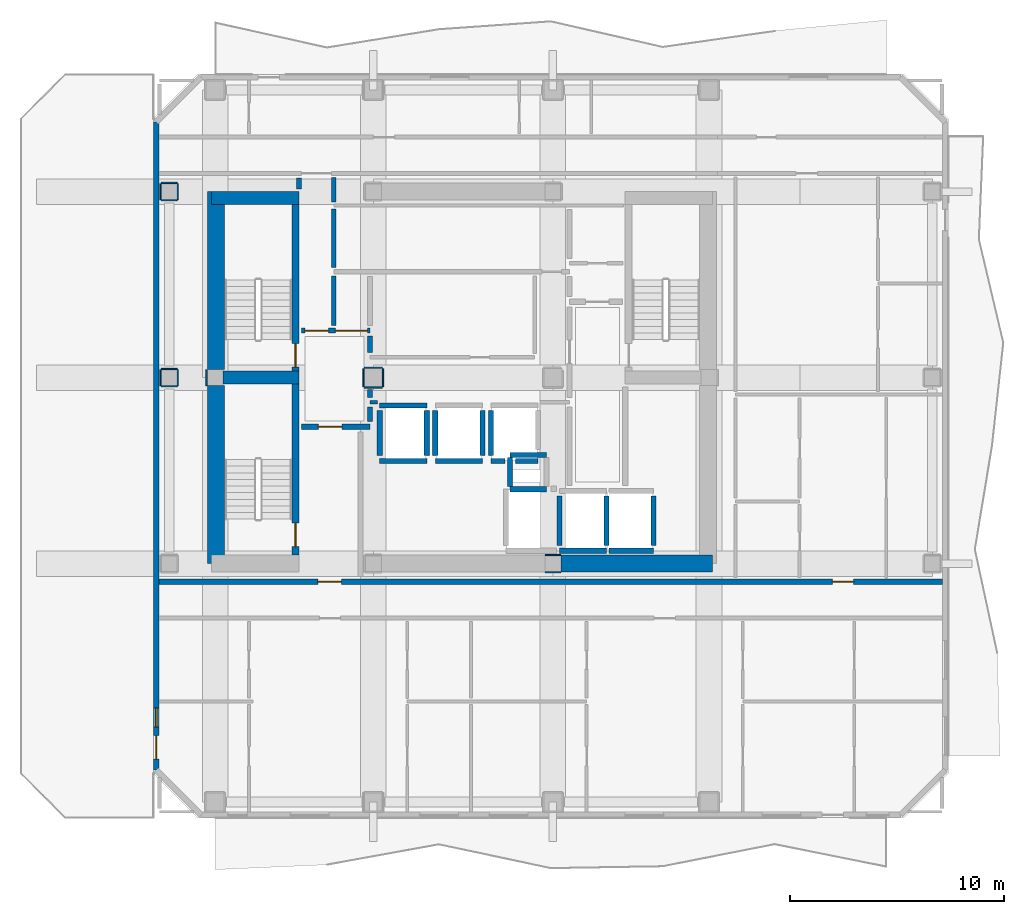
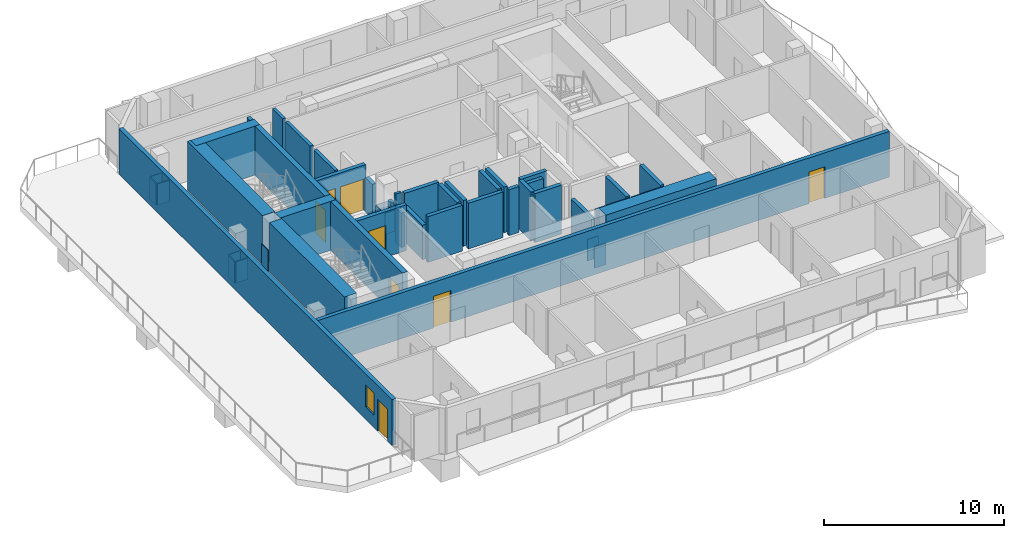
# One storey, part 3 of 10: 52 walls, 8 doors, 1 window, 9 openings.
"""IFC4 building model written with IfcOpenShell, lengths in metres."""

from ifc_helpers import new_model, si_unit, direction, frame, frame_2d, origin, place, context, subcontext, project, spatial, rectangle, extrude, material, layer, layer_set, type_object, element, fill, save


model = new_model("IFC4")

# Units and contexts
model_context = context("Model", 3, precision=1e-05, world=origin(), true_north=direction((0.0, 1.0)))
body_context = subcontext(model_context, "Body", "Model", "MODEL_VIEW")
ifc_project = project(units=[si_unit("LENGTHUNIT", "METRE"), si_unit("AREAUNIT", "SQUARE_METRE"), si_unit("VOLUMEUNIT", "CUBIC_METRE"), si_unit("PLANEANGLEUNIT", "RADIAN"), si_unit("MASSUNIT", "GRAM", prefix="KILO")], contexts=[model_context])

# Site, building, storey
site_placement = place(None, origin())
site = spatial("IfcSite", under=ifc_project, at=site_placement, CompositionType="ELEMENT")
building_placement = place(site_placement, origin())
building = spatial("IfcBuilding", under=site, at=building_placement, Name="Solanera Arch Residences", CompositionType="ELEMENT")
storey_placement = place(building_placement, frame((0.0, 0.0, 210.080078125)))
storey = spatial("IfcBuildingStorey", under=building, at=storey_placement, Name="L61", CompositionType="ELEMENT", Elevation=210.080078125)

# Walls
ifc_material_1 = material(Name="Fire-Rated Gypsum Stud Partition", Category="gypsum")
ifc_layer_1 = layer(ifc_material_1, 0.06005859375)
ifc_layer_set_1 = layer_set([ifc_layer_1], Name="Fire-Rated Gypsum Stud Partition")
wall_type_1 = type_object("IfcWallType", Name="Column Acoustic Furring Wall 60", PredefinedType="PARTITIONING", material=ifc_layer_set_1)
for number, where, z_axis, x_axis, name in (
    (1, (28.8330078125, 21.593017578125, 0.0), (0.0, 0.0, 1.0), (1.0, 0.0, 0.0), "L61 Column Furring 2S"),
    (2, (28.8330078125, 22.406982421875, 0.0), (0.0, 0.0, 1.0), (1.0, 0.0, 0.0), "L61 Column Furring 2N"),
):
    element("IfcWall", number, at=place(storey_placement, frame(where, z_axis=z_axis, x_axis=x_axis)), inside=storey, type_object=wall_type_1, Name=name, PredefinedType="PARTITIONING", context=body_context, shape_type="SweptSolid", body=[
        extrude(rectangle(XDim=0.73388671875, YDim=0.06005859375, at=frame_2d((0.366943359375, 0.0))), origin(), (0.0, 0.0, 1.0), 1.449951171875),
    ])
wall_1_placement = place(storey_placement, frame((12.992919921875, 30.324951171875, 0.0), z_axis=(0.0, 0.0, 1.0), x_axis=(0.0, 1.0, 0.0)))
element("IfcWall", 3, at=wall_1_placement, inside=storey, type_object=wall_type_1, Name="L61 Column Furring 5W", PredefinedType="PARTITIONING", context=body_context, shape_type="SweptSolid", body=[
    extrude(rectangle(XDim=0.75, YDim=0.06005859375, at=frame_2d((0.375, 0.0))), origin(), (0.0, 0.0, 1.0), 1.449951171875),
])
for number, where, z_axis, x_axis, name in (
    (4, (20.375, 30.242919921875, 0.0), (0.0, 0.0, 1.0), (1.0, 0.0, 0.0), "L61 Column Furring 7S"),
    (5, (20.375, 31.156982421875, 0.0), (0.0, 0.0, 1.0), (1.0, 0.0, 0.0), "L61 Column Furring 7N"),
    (6, (20.343017578125, 30.27490234375, 0.0), (0.0, 0.0, 1.0), (0.0, 1.0, 0.0), "L61 Column Furring 7W"),
    (7, (21.257080078125, 30.27490234375, 0.0), (0.0, 0.0, 1.0), (0.0, 1.0, 0.0), "L61 Column Furring 7E"),
):
    element("IfcWall", number, at=place(storey_placement, frame(where, z_axis=z_axis, x_axis=x_axis)), inside=storey, type_object=wall_type_1, Name=name, PredefinedType="PARTITIONING", context=body_context, shape_type="SweptSolid", body=[
        extrude(rectangle(XDim=0.85009765625, YDim=0.06005859375, at=frame_2d((0.425048828125, 0.0))), origin(), (0.0, 0.0, 1.0), 1.449951171875),
    ])
for number, where, z_axis, x_axis, name in (
    (8, (10.875, 30.29296875, 0.0), (0.0, 0.0, 1.0), (1.0, 0.0, 0.0), "L61 Column Furring 19S"),
    (9, (10.875, 31.10693359375, 0.0), (0.0, 0.0, 1.0), (1.0, 0.0, 0.0), "L61 Column Furring 19N"),
    (10, (10.843017578125, 30.324951171875, 0.0), (0.0, 0.0, 1.0), (0.0, 1.0, 0.0), "L61 Column Furring 19W"),
    (11, (11.656982421875, 30.324951171875, 0.0), (0.0, 0.0, 1.0), (0.0, 1.0, 0.0), "L61 Column Furring 19E"),
    (12, (10.875, 38.992919921875, 0.0), (0.0, 0.0, 1.0), (1.0, 0.0, 0.0), "L61 Column Furring 21S"),
    (13, (10.875, 39.806884765625, 0.0), (0.0, 0.0, 1.0), (1.0, 0.0, 0.0), "L61 Column Furring 21N"),
    (14, (10.843017578125, 39.02490234375, 0.0), (0.0, 0.0, 1.0), (0.0, 1.0, 0.0), "L61 Column Furring 21W"),
    (15, (11.656982421875, 39.02490234375, 0.0), (0.0, 0.0, 1.0), (0.0, 1.0, 0.0), "L61 Column Furring 21E"),
):
    element("IfcWall", number, at=place(storey_placement, frame(where, z_axis=z_axis, x_axis=x_axis)), inside=storey, type_object=wall_type_1, Name=name, PredefinedType="PARTITIONING", context=body_context, shape_type="SweptSolid", body=[
        extrude(rectangle(XDim=0.75, YDim=0.06005859375, at=frame_2d((0.375, 0.0))), origin(), (0.0, 0.0, 1.0), 1.449951171875),
    ])

# Wall, opening, door
ifc_material_2 = material(Name="Concrete C40/50 (f'c = 45 MPa)", Category="concrete")
ifc_layer_2 = layer(ifc_material_2, 0.320068359375)
ifc_layer_set_2 = layer_set([ifc_layer_2], Name="Concrete C40/50 (f'c = 45 MPa)")
wall_type_2 = type_object("IfcWallType", Name="Core Shear Wall CW-320", PredefinedType="SHEAR", material=ifc_layer_set_2)
wall_2_placement = place(storey_placement, frame((17.159912109375, 31.0, 0.0), z_axis=(0.0, 0.0, 1.0), x_axis=(0.0, 1.0, 0.0)))
wall_2 = element("IfcWall", 16, at=wall_2_placement, inside=storey, type_object=wall_type_2, Name="L61 Stair ST-T1 East Shear Wall", PredefinedType="SHEAR", context=body_context, shape_type="SweptSolid", body=[
    extrude(rectangle(XDim=7.800048828125, YDim=0.320068359375, at=frame_2d((3.89990234375, 0.0))), origin(), (0.0, 0.0, 1.0), 3.31982421875),
])
opening_1_placement = place(wall_2_placement, frame((0.18994140625, 0.0, 0.0)))
opening_1 = element("IfcOpeningElement", 17, at=opening_1_placement, cuts=wall_2, Name="Opening DF-01", PredefinedType="OPENING", context=body_context, shape_type="SweptSolid", body=[
    extrude(rectangle(XDim=1.10009765625, YDim=2.14990234375, at=frame_2d((0.550048828125, 1.074951171875))), frame((0.0, 0.169921875, 0.0), z_axis=(0.0, -1.0, 0.0), x_axis=(1.0, 0.0, 0.0)), (0.0, 0.0, 1.0), 0.3401),
])
ifc_material_3 = material(Name="Fire-Rated Architectural Hardwood", Category="wood")
door_type_1 = type_object("IfcDoorType", Name="Stair Exit Fire Door DF-01", OperationType="NOTDEFINED", PredefinedType="DOOR", material=ifc_material_3)
door_1_placement = place(opening_1_placement, origin())
door_1 = element("IfcDoor", 18, at=door_1_placement, inside=storey, type_object=door_type_1, Name="DR-L61-STAIR-ST-T1", OperationType="SINGLE_SWING_RIGHT", OverallHeight=2.14990234375, OverallWidth=1.10009765625, PredefinedType="DOOR", context=body_context, shape_type="SweptSolid", body=[
    extrude(rectangle(XDim=1.10009765625, YDim=2.14990234375, at=frame_2d((0.550048828125, 1.074951171875))), frame((0.0, 0.02490234375, 0.0), z_axis=(0.0, -1.0, 0.0), x_axis=(1.0, 0.0, 0.0)), (0.0, 0.0, 1.0), 0.050048828125),
])
fill(opening_1, door_1)

wall_3_placement = place(storey_placement, frame((17.159912109375, 22.39990234375, 0.0), z_axis=(0.0, 0.0, 1.0), x_axis=(0.0, 1.0, 0.0)))
wall_3 = element("IfcWall", 19, at=wall_3_placement, inside=storey, type_object=wall_type_2, Name="L61 Stair ST-T3 East Shear Wall", PredefinedType="SHEAR", context=body_context, shape_type="SweptSolid", body=[
    extrude(rectangle(XDim=8.0, YDim=0.320068359375, at=frame_2d((4.0, 0.0))), origin(), (0.0, 0.0, 1.0), 3.31982421875),
])
opening_2_placement = place(wall_3_placement, frame((0.389892578125, 0.0, 0.0)))
opening_2 = element("IfcOpeningElement", 20, at=opening_2_placement, cuts=wall_3, Name="Opening DF-01", PredefinedType="OPENING", context=body_context, shape_type="SweptSolid", body=[
    extrude(rectangle(XDim=1.10009765625, YDim=2.14990234375, at=frame_2d((0.550048828125, 1.074951171875))), frame((0.0, 0.169921875, 0.0), z_axis=(0.0, -1.0, 0.0), x_axis=(1.0, 0.0, 0.0)), (0.0, 0.0, 1.0), 0.3401),
])
door_2_placement = place(opening_2_placement, origin())
door_2 = element("IfcDoor", 21, at=door_2_placement, inside=storey, type_object=door_type_1, Name="DR-L61-STAIR-ST-T3", OperationType="SINGLE_SWING_RIGHT", OverallHeight=2.14990234375, OverallWidth=1.10009765625, PredefinedType="DOOR", context=body_context, shape_type="SweptSolid", body=[
    extrude(rectangle(XDim=1.10009765625, YDim=2.14990234375, at=frame_2d((0.550048828125, 1.074951171875))), frame((0.0, 0.02490234375, 0.0), z_axis=(0.0, -1.0, 0.0), x_axis=(1.0, 0.0, 0.0)), (0.0, 0.0, 1.0), 0.050048828125),
])
fill(opening_2, door_2)

# Walls
ifc_material_4 = material(Name="Concrete C40/50 (f'c = 45 MPa)", Category="concrete")
ifc_layer_3 = layer(ifc_material_4, 0.60009765625)
ifc_layer_set_3 = layer_set([ifc_layer_3], Name="Concrete C40/50 (f'c = 45 MPa)")
wall_type_3 = type_object("IfcWallType", Name="Core Shear Wall CW-600", PredefinedType="SHEAR", material=ifc_layer_set_3)
wall_4_placement = place(storey_placement, frame((13.239990234375, 39.10009765625, 0.0), z_axis=(0.0, 0.0, 1.0), x_axis=(1.0, 0.0, 0.0)))
element("IfcWall", 22, at=wall_4_placement, inside=storey, type_object=wall_type_3, Name="L61 North-West Core Shear Wall", PredefinedType="SHEAR", context=body_context, shape_type="SweptSolid", body=[
    extrude(rectangle(XDim=4.080078125, YDim=0.60009765625, at=frame_2d((2.0400390625, 0.0))), origin(), (0.0, 0.0, 1.0), 3.31982421875),
])
wall_5_placement = place(storey_placement, frame((13.780029296875, 30.699951171875, 0.0), z_axis=(0.0, 0.0, 1.0), x_axis=(1.0, 0.0, 0.0)))
element("IfcWall", 23, at=wall_5_placement, inside=storey, type_object=wall_type_3, Name="L61 West Stair Divider Shear Wall", PredefinedType="SHEAR", context=body_context, shape_type="SweptSolid", body=[
    extrude(rectangle(XDim=3.5400390625, YDim=0.60009765625, at=frame_2d((1.77001953125, 0.0))), origin(), (0.0, 0.0, 1.0), 3.31982421875),
])
ifc_material_5 = material(Name="Concrete C40/50 (f'c = 45 MPa)", Category="concrete")
ifc_layer_4 = layer(ifc_material_5, 0.800048828125)
ifc_layer_set_4 = layer_set([ifc_layer_4], Name="Concrete C40/50 (f'c = 45 MPa)")
wall_type_4 = type_object("IfcWallType", Name="Core Shear Wall CW-800", PredefinedType="SHEAR", material=ifc_layer_set_4)
wall_6_placement = place(storey_placement, frame((13.43994140625, 22.0, 0.0), z_axis=(0.0, 0.0, 1.0), x_axis=(0.0, 1.0, 0.0)))
element("IfcWall", 24, at=wall_6_placement, inside=storey, type_object=wall_type_4, Name="L61 West Core South Shear Wall", PredefinedType="SHEAR", context=body_context, shape_type="SweptSolid", body=[
    extrude(rectangle(XDim=8.320068359375, YDim=0.800048828125, at=frame_2d((4.16015625, 0.0))), origin(), (0.0, 0.0, 1.0), 3.31982421875),
])
wall_7_placement = place(storey_placement, frame((13.43994140625, 31.080078125, 0.0), z_axis=(0.0, 0.0, 1.0), x_axis=(0.0, 1.0, 0.0)))
element("IfcWall", 25, at=wall_7_placement, inside=storey, type_object=wall_type_4, Name="L61 West Core North Shear Wall", PredefinedType="SHEAR", context=body_context, shape_type="SweptSolid", body=[
    extrude(rectangle(XDim=8.31982421875, YDim=0.800048828125, at=frame_2d((4.159912109375, 0.0))), origin(), (0.0, 0.0, 1.0), 3.31982421875),
])
wall_8_placement = place(storey_placement, frame((29.580078125, 22.0, 0.0), z_axis=(0.0, 0.0, 1.0), x_axis=(1.0, 0.0, 0.0)))
element("IfcWall", 26, at=wall_8_placement, inside=storey, type_object=wall_type_4, Name="L61 South-East Core Shear Wall", PredefinedType="SHEAR", context=body_context, shape_type="SweptSolid", body=[
    extrude(rectangle(XDim=7.079833984375, YDim=0.800048828125, at=frame_2d((3.5400390625, 0.0))), origin(), (0.0, 0.0, 1.0), 3.31982421875),
])
ifc_material_6 = material(Name="Autoclaved Aerated Concrete Blockwork", Category="masonry")
ifc_layer_5 = layer(ifc_material_6, 0.179931640625)
ifc_layer_set_5 = layer_set([ifc_layer_5], Name="Autoclaved Aerated Concrete Blockwork")
wall_type_5 = type_object("IfcWallType", Name="Corridor Fire Partition 180", PredefinedType="PARTITIONING", material=ifc_layer_set_5)
wall_9_placement = place(storey_placement, frame((20.64990234375, 29.550048828125, 0.0), z_axis=(0.0, 0.0, 1.0), x_axis=(1.0, 0.0, 0.0)))
element("IfcWall", 27, at=wall_9_placement, inside=storey, type_object=wall_type_5, Name="L61 Interior Partition H8 1", PredefinedType="PARTITIONING", context=body_context, shape_type="SweptSolid", body=[
    extrude(rectangle(XDim=0.357177734375, YDim=0.179931640625, at=frame_2d((0.1787109375, 0.0))), origin(), (0.0, 0.0, 1.0), 3.099853515625),
])

# Wall, openings, door, window
ifc_material_7 = material(Name="Precast Concrete C35/45", Category="concrete")
ifc_layer_6 = layer(ifc_material_7, 0.260009765625)
ifc_layer_set_6 = layer_set([ifc_layer_6], Name="Precast Concrete C35/45")
wall_type_6 = type_object("IfcWallType", Name="Exterior Wall Precast Masonry-Frame 260", PredefinedType="STANDARD", material=ifc_layer_set_6)
wall_10_placement = place(storey_placement, frame((10.64501953125, 12.344970703125, 0.0), z_axis=(0.0, 0.0, 1.0), x_axis=(0.0, 1.0, 0.0)))
wall_10 = element("IfcWall", 28, at=wall_10_placement, inside=storey, type_object=wall_type_6, Name="L61 Tower Exterior Precast Masonry-Frame Wall W", PredefinedType="STANDARD", context=body_context, shape_type="SweptSolid", body=[
    extrude(rectangle(XDim=30.31005859375, YDim=0.260009765625, at=frame_2d((15.155029296875, 0.0))), origin(), (0.0, 0.0, 1.0), 3.099853515625),
])
opening_3_placement = place(wall_10_placement, frame((0.507080078125, 0.0, 0.0)))
opening_3 = element("IfcOpeningElement", 29, at=opening_3_placement, cuts=wall_10, Name="Opening DB-02", PredefinedType="OPENING", context=body_context, shape_type="SweptSolid", body=[
    extrude(rectangle(XDim=1.10009765625, YDim=2.14990234375, at=frame_2d((0.550048828125, 1.074951171875))), frame((0.0, 0.139892578125, 0.0), z_axis=(0.0, -1.0, 0.0), x_axis=(1.0, 0.0, 0.0)), (0.0, 0.0, 1.0), 0.28),
])
opening_4_placement = place(wall_10_placement, frame((2.010986328125, 0.0, 0.85009765625)))
opening_4 = element("IfcOpeningElement", 30, at=opening_4_placement, cuts=wall_10, Name="Opening W-06", PredefinedType="OPENING", context=body_context, shape_type="SweptSolid", body=[
    extrude(rectangle(XDim=0.89990234375, YDim=1.5, at=frame_2d((0.449951171875, 0.75))), frame((0.0, 0.139892578125, 0.0), z_axis=(0.0, -1.0, 0.0), x_axis=(1.0, 0.0, 0.0)), (0.0, 0.0, 1.0), 0.28),
])
ifc_material_8 = material(Name="Anodised Aluminium Alloy 6063-T6", Category="aluminium")
door_type_2 = type_object("IfcDoorType", Name="Glazed Terrace Swing Door DB-02", OperationType="NOTDEFINED", PredefinedType="DOOR", material=ifc_material_8)
door_3_placement = place(opening_3_placement, origin())
door_3 = element("IfcDoor", 31, at=door_3_placement, inside=storey, type_object=door_type_2, Name="DR-L61-OUT-01", OperationType="SINGLE_SWING_LEFT", OverallHeight=2.14990234375, OverallWidth=1.10009765625, PredefinedType="DOOR", context=body_context, shape_type="SweptSolid", body=[
    extrude(rectangle(XDim=1.10009765625, YDim=2.14990234375, at=frame_2d((0.550048828125, 1.074951171875))), frame((0.0, 0.02490234375, 0.0), z_axis=(0.0, -1.0, 0.0), x_axis=(1.0, 0.0, 0.0)), (0.0, 0.0, 1.0), 0.050048828125),
])
fill(opening_3, door_3)
ifc_material_9 = material(Name="Double Glazed Low-E Laminated Glass", Category="glass")
window_type = type_object("IfcWindowType", Name="Punched Window W-06", PartitioningType="SINGLE_PANEL", PredefinedType="WINDOW", material=ifc_material_9)
window_placement = place(opening_4_placement, origin())
window = element("IfcWindow", 32, at=window_placement, inside=storey, type_object=window_type, Name="L61 6101-BR1 Punched Window", OverallHeight=1.5, OverallWidth=0.89990234375, PartitioningType="SINGLE_PANEL", PredefinedType="WINDOW", context=body_context, shape_type="SweptSolid", body=[
    extrude(rectangle(XDim=0.89990234375, YDim=1.5, at=frame_2d((0.449951171875, 0.75))), frame((0.0, 0.030029296875, 0.0), z_axis=(0.0, -1.0, 0.0), x_axis=(1.0, 0.0, 0.0)), (0.0, 0.0, 1.0), 0.06005859375),
])
fill(opening_4, window)

# Walls
ifc_material_10 = material(Name="Autoclaved Aerated Concrete Blockwork", Category="masonry")
ifc_layer_7 = layer(ifc_material_10, 0.199951171875)
ifc_layer_set_7 = layer_set([ifc_layer_7], Name="Autoclaved Aerated Concrete Blockwork")
wall_type_7 = type_object("IfcWallType", Name="Party Wall Acoustic 200", PredefinedType="PARTITIONING", material=ifc_layer_set_7)
wall_11_placement = place(storey_placement, frame((18.949951171875, 33.1279296875, 0.0), z_axis=(0.0, 0.0, 1.0), x_axis=(0.0, 1.0, 0.0)))
element("IfcWall", 33, at=wall_11_placement, inside=storey, type_object=wall_type_7, Name="L61 Interior Partition V6 1", PredefinedType="PARTITIONING", context=body_context, shape_type="SweptSolid", body=[
    extrude(rectangle(XDim=2.31396484375, YDim=0.199951171875, at=frame_2d((1.156982421875, 0.0))), origin(), (0.0, 0.0, 1.0), 3.099853515625),
])
wall_12_placement = place(storey_placement, frame((18.949951171875, 35.85791015625, 0.0), z_axis=(0.0, 0.0, 1.0), x_axis=(0.0, 1.0, 0.0)))
element("IfcWall", 34, at=wall_12_placement, inside=storey, type_object=wall_type_7, Name="L61 Interior Partition V6 2", PredefinedType="PARTITIONING", context=body_context, shape_type="SweptSolid", body=[
    extrude(rectangle(XDim=2.72412109375, YDim=0.199951171875, at=frame_2d((1.362060546875, 0.0))), origin(), (0.0, 0.0, 1.0), 3.099853515625),
])
wall_13_placement = place(storey_placement, frame((18.949951171875, 38.91796875, 0.0), z_axis=(0.0, 0.0, 1.0), x_axis=(0.0, 1.0, 0.0)))
element("IfcWall", 35, at=wall_13_placement, inside=storey, type_object=wall_type_7, Name="L61 Interior Partition V6 3", PredefinedType="PARTITIONING", context=body_context, shape_type="SweptSolid", body=[
    extrude(rectangle(XDim=1.134033203125, YDim=0.199951171875, at=frame_2d((0.56689453125, 0.0))), origin(), (0.0, 0.0, 1.0), 3.099853515625),
])
ifc_material_11 = material(Name="Concrete C40/50 (f'c = 45 MPa)", Category="concrete")
ifc_layer_8 = layer(ifc_material_11, 0.239990234375)
ifc_layer_set_8 = layer_set([ifc_layer_8], Name="Concrete C40/50 (f'c = 45 MPa)")
wall_type_8 = type_object("IfcWallType", Name="Ramp Bearing Shear Wall RW-240", PredefinedType="SHEAR", material=ifc_layer_set_8)
for number, where, z_axis, x_axis, name in (
    (36, (27.199951171875, 25.47998046875, 0.0), (0.0, 0.0, 1.0), (1.0, 0.0, 0.0), "L61 Core MEP Riser South Shaft Wall"),
    (37, (27.199951171875, 27.080078125, 0.0), (0.0, 0.0, 1.0), (1.0, 0.0, 0.0), "L61 Core MEP Riser North Shaft Wall"),
):
    element("IfcWall", number, at=place(storey_placement, frame(where, z_axis=z_axis, x_axis=x_axis)), inside=storey, type_object=wall_type_8, Name=name, PredefinedType="SHEAR", context=body_context, shape_type="SweptSolid", body=[
        extrude(rectangle(XDim=1.699951171875, YDim=0.239990234375, at=frame_2d((0.85009765625, 0.0))), origin(), (0.0, 0.0, 1.0), 3.31982421875),
    ])
wall_14_placement = place(storey_placement, frame((27.199951171875, 25.60009765625, 0.0), z_axis=(0.0, 0.0, 1.0), x_axis=(0.0, 1.0, 0.0)))
element("IfcWall", 38, at=wall_14_placement, inside=storey, type_object=wall_type_8, Name="L61 Core MEP Riser West Shaft Wall", PredefinedType="SHEAR", context=body_context, shape_type="SweptSolid", body=[
    extrude(rectangle(XDim=1.35986328125, YDim=0.239990234375, at=frame_2d((0.679931640625, 0.0))), origin(), (0.0, 0.0, 1.0), 3.31982421875),
])
ifc_material_12 = material(Name="Autoclaved Aerated Concrete Blockwork", Category="masonry")
ifc_layer_9 = layer(ifc_material_12, 0.239990234375)
ifc_layer_set_9 = layer_set([ifc_layer_9], Name="Autoclaved Aerated Concrete Blockwork")
wall_type_9 = type_object("IfcWallType", Name="Shaft Wall Fire-Rated 240", PredefinedType="PARTITIONING", material=ifc_layer_set_9)
for number, where, z_axis, x_axis, name in (
    (39, (21.10009765625, 26.800048828125, 0.0), (0.0, 0.0, 1.0), (1.0, 0.0, 0.0), "L61 Lift PL-H1 Hoistway Wall S"),
    (40, (21.10009765625, 29.39990234375, 0.0), (0.0, 0.0, 1.0), (1.0, 0.0, 0.0), "L61 Lift PL-H1 Hoistway Wall N"),
):
    element("IfcWall", number, at=place(storey_placement, frame(where, z_axis=z_axis, x_axis=x_axis)), inside=storey, type_object=wall_type_9, Name=name, PredefinedType="PARTITIONING", context=body_context, shape_type="SweptSolid", body=[
        extrude(rectangle(XDim=2.199951171875, YDim=0.239990234375, at=frame_2d((1.10009765625, 0.0))), origin(), (0.0, 0.0, 1.0), 3.099853515625),
    ])
wall_15_placement = place(storey_placement, frame((21.10009765625, 27.048095703125, 0.0), z_axis=(0.0, 0.0, 1.0), x_axis=(0.0, 1.0, 0.0)))
element("IfcWall", 41, at=wall_15_placement, inside=storey, type_object=wall_type_9, Name="L61 Lift PL-H1 Hoistway Wall W", PredefinedType="PARTITIONING", context=body_context, shape_type="SweptSolid", body=[
    extrude(rectangle(XDim=2.10400390625, YDim=0.239990234375, at=frame_2d((1.052001953125, 0.0))), origin(), (0.0, 0.0, 1.0), 2.3349609375),
])
wall_16_placement = place(storey_placement, frame((23.300048828125, 27.048095703125, 0.0), z_axis=(0.0, 0.0, 1.0), x_axis=(0.0, 1.0, 0.0)))
element("IfcWall", 42, at=wall_16_placement, inside=storey, type_object=wall_type_9, Name="L61 Lift PL-H1 Hoistway Wall E", PredefinedType="PARTITIONING", context=body_context, shape_type="SweptSolid", body=[
    extrude(rectangle(XDim=2.10400390625, YDim=0.239990234375, at=frame_2d((1.052001953125, 0.0))), origin(), (0.0, 0.0, 1.0), 3.099853515625),
])
wall_17_placement = place(storey_placement, frame((23.699951171875, 26.800048828125, 0.0), z_axis=(0.0, 0.0, 1.0), x_axis=(1.0, 0.0, 0.0)))
element("IfcWall", 43, at=wall_17_placement, inside=storey, type_object=wall_type_9, Name="L61 Lift PL-H2 Hoistway Wall S", PredefinedType="PARTITIONING", context=body_context, shape_type="SweptSolid", body=[
    extrude(rectangle(XDim=2.199951171875, YDim=0.239990234375, at=frame_2d((1.10009765625, 0.0))), origin(), (0.0, 0.0, 1.0), 3.099853515625),
])
for number, where, z_axis, x_axis, name in (
    (44, (23.699951171875, 27.048095703125, 0.0), (0.0, 0.0, 1.0), (0.0, 1.0, 0.0), "L61 Lift PL-H2 Hoistway Wall W"),
    (45, (25.89990234375, 27.048095703125, 0.0), (0.0, 0.0, 1.0), (0.0, 1.0, 0.0), "L61 Lift PL-H2 Hoistway Wall E"),
):
    element("IfcWall", number, at=place(storey_placement, frame(where, z_axis=z_axis, x_axis=x_axis)), inside=storey, type_object=wall_type_9, Name=name, PredefinedType="PARTITIONING", context=body_context, shape_type="SweptSolid", body=[
        extrude(rectangle(XDim=2.10400390625, YDim=0.239990234375, at=frame_2d((1.052001953125, 0.0))), origin(), (0.0, 0.0, 1.0), 3.099853515625),
    ])
wall_18_placement = place(storey_placement, frame((26.300048828125, 26.800048828125, 0.0), z_axis=(0.0, 0.0, 1.0), x_axis=(1.0, 0.0, 0.0)))
element("IfcWall", 46, at=wall_18_placement, inside=storey, type_object=wall_type_9, Name="L61 Lift PL-H3 Hoistway Wall S 1", PredefinedType="PARTITIONING", context=body_context, shape_type="SweptSolid", body=[
    extrude(rectangle(XDim=0.64990234375, YDim=0.239990234375, at=frame_2d((0.324951171875, 0.0))), origin(), (0.0, 0.0, 1.0), 3.099853515625),
])
wall_19_placement = place(storey_placement, frame((27.449951171875, 26.800048828125, 0.0), z_axis=(0.0, 0.0, 1.0), x_axis=(1.0, 0.0, 0.0)))
element("IfcWall", 47, at=wall_19_placement, inside=storey, type_object=wall_type_9, Name="L61 Lift PL-H3 Hoistway Wall S 2", PredefinedType="PARTITIONING", context=body_context, shape_type="SweptSolid", body=[
    extrude(rectangle(XDim=1.050048828125, YDim=0.239990234375, at=frame_2d((0.52490234375, 0.0))), origin(), (0.0, 0.0, 1.0), 3.099853515625),
])
wall_20_placement = place(storey_placement, frame((26.300048828125, 27.048095703125, 0.0), z_axis=(0.0, 0.0, 1.0), x_axis=(0.0, 1.0, 0.0)))
element("IfcWall", 48, at=wall_20_placement, inside=storey, type_object=wall_type_9, Name="L61 Lift PL-H3 Hoistway Wall W", PredefinedType="PARTITIONING", context=body_context, shape_type="SweptSolid", body=[
    extrude(rectangle(XDim=2.10400390625, YDim=0.239990234375, at=frame_2d((1.052001953125, 0.0))), origin(), (0.0, 0.0, 1.0), 3.099853515625),
])
wall_21_placement = place(storey_placement, frame((29.5, 22.60009765625, 0.0), z_axis=(0.0, 0.0, 1.0), x_axis=(1.0, 0.0, 0.0)))
element("IfcWall", 49, at=wall_21_placement, inside=storey, type_object=wall_type_9, Name="L61 Lift FFL-1 Hoistway Wall S", PredefinedType="PARTITIONING", context=body_context, shape_type="SweptSolid", body=[
    extrude(rectangle(XDim=2.199951171875, YDim=0.239990234375, at=frame_2d((1.10009765625, 0.0))), origin(), (0.0, 0.0, 1.0), 3.099853515625),
])
wall_22_placement = place(storey_placement, frame((29.5, 22.847900390625, 0.0), z_axis=(0.0, 0.0, 1.0), x_axis=(0.0, 1.0, 0.0)))
element("IfcWall", 50, at=wall_22_placement, inside=storey, type_object=wall_type_9, Name="L61 Lift FFL-1 Hoistway Wall W", PredefinedType="PARTITIONING", context=body_context, shape_type="SweptSolid", body=[
    extrude(rectangle(XDim=2.30419921875, YDim=0.239990234375, at=frame_2d((1.152099609375, 0.0))), origin(), (0.0, 0.0, 1.0), 2.3349609375),
])
wall_23_placement = place(storey_placement, frame((31.699951171875, 22.847900390625, 0.0), z_axis=(0.0, 0.0, 1.0), x_axis=(0.0, 1.0, 0.0)))
element("IfcWall", 51, at=wall_23_placement, inside=storey, type_object=wall_type_9, Name="L61 Lift FFL-1 Hoistway Wall E", PredefinedType="PARTITIONING", context=body_context, shape_type="SweptSolid", body=[
    extrude(rectangle(XDim=2.30419921875, YDim=0.239990234375, at=frame_2d((1.152099609375, 0.0))), origin(), (0.0, 0.0, 1.0), 3.099853515625),
])
wall_24_placement = place(storey_placement, frame((31.827880859375, 22.60009765625, 0.0), z_axis=(0.0, 0.0, 1.0), x_axis=(1.0, 0.0, 0.0)))
element("IfcWall", 52, at=wall_24_placement, inside=storey, type_object=wall_type_9, Name="L61 Lift FFL-2 Hoistway Wall S", PredefinedType="PARTITIONING", context=body_context, shape_type="SweptSolid", body=[
    extrude(rectangle(XDim=2.072021484375, YDim=0.239990234375, at=frame_2d((1.0361328125, 0.0))), origin(), (0.0, 0.0, 1.0), 3.099853515625),
])
wall_25_placement = place(storey_placement, frame((33.89990234375, 22.847900390625, 0.0), z_axis=(0.0, 0.0, 1.0), x_axis=(0.0, 1.0, 0.0)))
element("IfcWall", 53, at=wall_25_placement, inside=storey, type_object=wall_type_9, Name="L61 Lift FFL-2 Hoistway Wall E", PredefinedType="PARTITIONING", context=body_context, shape_type="SweptSolid", body=[
    extrude(rectangle(XDim=2.30419921875, YDim=0.239990234375, at=frame_2d((1.152099609375, 0.0))), origin(), (0.0, 0.0, 1.0), 3.099853515625),
])

# Wall, openings, doors
wall_26_placement = place(storey_placement, frame((10.787109375, 21.14990234375, 0.0), z_axis=(0.0, 0.0, 1.0), x_axis=(1.0, 0.0, 0.0)))
wall_26 = element("IfcWall", 54, at=wall_26_placement, inside=storey, type_object=wall_type_9, Name="L61 Interior Partition H1", PredefinedType="PARTITIONING", context=body_context, shape_type="SweptSolid", body=[
    extrude(rectangle(XDim=36.6259765625, YDim=0.239990234375, at=frame_2d((18.31298828125, 0.0))), origin(), (0.0, 0.0, 1.0), 3.099853515625),
])
opening_5_placement = place(wall_26_placement, frame((7.423095703125, 0.0, 0.0)))
opening_5 = element("IfcOpeningElement", 55, at=opening_5_placement, cuts=wall_26, Name="Opening DF-02", PredefinedType="OPENING", context=body_context, shape_type="SweptSolid", body=[
    extrude(rectangle(XDim=1.10009765625, YDim=2.14990234375, at=frame_2d((0.550048828125, 1.074951171875))), frame((0.0, 0.1298828125, 0.0), z_axis=(0.0, -1.0, 0.0), x_axis=(1.0, 0.0, 0.0)), (0.0, 0.0, 1.0), 0.26),
])
opening_6_placement = place(wall_26_placement, frame((31.48193359375, 0.0, 0.0)))
opening_6 = element("IfcOpeningElement", 56, at=opening_6_placement, cuts=wall_26, Name="Opening DI-01", PredefinedType="OPENING", context=body_context, shape_type="SweptSolid", body=[
    extrude(rectangle(XDim=1.0, YDim=2.14990234375, at=frame_2d((0.5, 1.074951171875))), frame((0.0, 0.1298828125, 0.0), z_axis=(0.0, -1.0, 0.0), x_axis=(1.0, 0.0, 0.0)), (0.0, 0.0, 1.0), 0.26),
])
ifc_material_13 = material(Name="Fire-Rated Architectural Hardwood", Category="wood")
door_type_3 = type_object("IfcDoorType", Name="Firefighting Lobby Fire Door DF-02", OperationType="NOTDEFINED", PredefinedType="DOOR", material=ifc_material_13)
door_4_placement = place(opening_5_placement, origin())
door_4 = element("IfcDoor", 57, at=door_4_placement, inside=storey, type_object=door_type_3, Name="DR-L61-IN-008", OperationType="SINGLE_SWING_LEFT", OverallHeight=2.14990234375, OverallWidth=1.10009765625, PredefinedType="DOOR", context=body_context, shape_type="SweptSolid", body=[
    extrude(rectangle(XDim=1.10009765625, YDim=2.14990234375, at=frame_2d((0.550048828125, 1.074951171875))), frame((0.0, 0.02490234375, 0.0), z_axis=(0.0, -1.0, 0.0), x_axis=(1.0, 0.0, 0.0)), (0.0, 0.0, 1.0), 0.050048828125),
])
fill(opening_5, door_4)
ifc_material_14 = material(Name="Fire-Rated Architectural Hardwood", Category="wood")
door_type_4 = type_object("IfcDoorType", Name="Unit Entrance Fire Door DI-01", OperationType="NOTDEFINED", PredefinedType="DOOR", material=ifc_material_14)
door_5_placement = place(opening_6_placement, origin())
door_5 = element("IfcDoor", 58, at=door_5_placement, inside=storey, type_object=door_type_4, Name="DR-L61-IN-030", OperationType="SINGLE_SWING_LEFT", OverallHeight=2.14990234375, OverallWidth=1.0, PredefinedType="DOOR", context=body_context, shape_type="SweptSolid", body=[
    extrude(rectangle(XDim=1.0, YDim=2.14990234375, at=frame_2d((0.5, 1.074951171875))), frame((0.0, 0.02490234375, 0.0), z_axis=(0.0, -1.0, 0.0), x_axis=(1.0, 0.0, 0.0)), (0.0, 0.0, 1.0), 0.050048828125),
])
fill(opening_6, door_5)

# Wall, opening, door
wall_27_placement = place(storey_placement, frame((17.449951171875, 28.39990234375, 0.0), z_axis=(0.0, 0.0, 1.0), x_axis=(1.0, 0.0, 0.0)))
wall_27 = element("IfcWall", 59, at=wall_27_placement, inside=storey, type_object=wall_type_9, Name="L61 Interior Partition H3", PredefinedType="PARTITIONING", context=body_context, shape_type="SweptSolid", body=[
    extrude(rectangle(XDim=3.199951171875, YDim=0.239990234375, at=frame_2d((1.60009765625, 0.0))), origin(), (0.0, 0.0, 1.0), 3.099853515625),
])
opening_7_placement = place(wall_27_placement, frame((0.783935546875, 0.0, 0.0)))
opening_7 = element("IfcOpeningElement", 60, at=opening_7_placement, cuts=wall_27, Name="Opening DF-02", PredefinedType="OPENING", context=body_context, shape_type="SweptSolid", body=[
    extrude(rectangle(XDim=1.10009765625, YDim=2.14990234375, at=frame_2d((0.550048828125, 1.074951171875))), frame((0.0, 0.1298828125, 0.0), z_axis=(0.0, -1.0, 0.0), x_axis=(1.0, 0.0, 0.0)), (0.0, 0.0, 1.0), 0.26),
])
door_6_placement = place(opening_7_placement, origin())
door_6 = element("IfcDoor", 61, at=door_6_placement, inside=storey, type_object=door_type_3, Name="DR-L61-IN-004", OperationType="SINGLE_SWING_LEFT", OverallHeight=2.14990234375, OverallWidth=1.10009765625, PredefinedType="DOOR", context=body_context, shape_type="SweptSolid", body=[
    extrude(rectangle(XDim=1.10009765625, YDim=2.14990234375, at=frame_2d((0.550048828125, 1.074951171875))), frame((0.0, 0.02490234375, 0.0), z_axis=(0.0, -1.0, 0.0), x_axis=(1.0, 0.0, 0.0)), (0.0, 0.0, 1.0), 0.050048828125),
])
fill(opening_7, door_6)

# Wall, openings, doors
wall_28_placement = place(storey_placement, frame((17.449951171875, 32.89990234375, 0.0), z_axis=(0.0, 0.0, 1.0), x_axis=(1.0, 0.0, 0.0)))
wall_28 = element("IfcWall", 62, at=wall_28_placement, inside=storey, type_object=wall_type_9, Name="L61 Interior Partition H4", PredefinedType="PARTITIONING", context=body_context, shape_type="SweptSolid", body=[
    extrude(rectangle(XDim=3.199951171875, YDim=0.239990234375, at=frame_2d((1.60009765625, 0.0))), origin(), (0.0, 0.0, 1.0), 3.099853515625),
])
opening_8_placement = place(wall_28_placement, frame((0.158935546875, 0.0, 0.0)))
opening_8 = element("IfcOpeningElement", 63, at=opening_8_placement, cuts=wall_28, Name="Opening DF-02", PredefinedType="OPENING", context=body_context, shape_type="SweptSolid", body=[
    extrude(rectangle(XDim=1.10009765625, YDim=2.14990234375, at=frame_2d((0.550048828125, 1.074951171875))), frame((0.0, 0.1298828125, 0.0), z_axis=(0.0, -1.0, 0.0), x_axis=(1.0, 0.0, 0.0)), (0.0, 0.0, 1.0), 0.26),
])
opening_9_placement = place(wall_28_placement, frame((1.575927734375, 0.0, 0.0)))
opening_9 = element("IfcOpeningElement", 64, at=opening_9_placement, cuts=wall_28, Name="Opening DP-01", PredefinedType="OPENING", context=body_context, shape_type="SweptSolid", body=[
    extrude(rectangle(XDim=1.5, YDim=2.14990234375, at=frame_2d((0.75, 1.074951171875))), frame((0.0, 0.1298828125, 0.0), z_axis=(0.0, -1.0, 0.0), x_axis=(1.0, 0.0, 0.0)), (0.0, 0.0, 1.0), 0.26),
])
door_7_placement = place(opening_8_placement, origin())
door_7 = element("IfcDoor", 65, at=door_7_placement, inside=storey, type_object=door_type_3, Name="DR-L61-IN-005", OperationType="SINGLE_SWING_RIGHT", OverallHeight=2.14990234375, OverallWidth=1.10009765625, PredefinedType="DOOR", context=body_context, shape_type="SweptSolid", body=[
    extrude(rectangle(XDim=1.10009765625, YDim=2.14990234375, at=frame_2d((0.550048828125, 1.074951171875))), frame((0.0, 0.02490234375, 0.0), z_axis=(0.0, -1.0, 0.0), x_axis=(1.0, 0.0, 0.0)), (0.0, 0.0, 1.0), 0.050048828125),
])
fill(opening_8, door_7)
ifc_material_15 = material(Name="Fire-Rated Architectural Hardwood", Category="wood")
door_type_5 = type_object("IfcDoorType", Name="Plant Double Fire Door DP-01", OperationType="NOTDEFINED", PredefinedType="DOOR", material=ifc_material_15)
door_8_placement = place(opening_9_placement, origin())
door_8 = element("IfcDoor", 66, at=door_8_placement, inside=storey, type_object=door_type_5, Name="DR-L61-IN-010", OperationType="SINGLE_SWING_LEFT", OverallHeight=2.14990234375, OverallWidth=1.5, PredefinedType="DOOR", context=body_context, shape_type="SweptSolid", body=[
    extrude(rectangle(XDim=1.5, YDim=2.14990234375, at=frame_2d((0.75, 1.074951171875))), frame((0.0, 0.02490234375, 0.0), z_axis=(0.0, -1.0, 0.0), x_axis=(1.0, 0.0, 0.0)), (0.0, 0.0, 1.0), 0.050048828125),
])
fill(opening_9, door_8)

# Walls
wall_29_placement = place(storey_placement, frame((17.320068359375, 39.530029296875, 0.0), z_axis=(0.0, 0.0, 1.0), x_axis=(0.0, 1.0, 0.0)))
element("IfcWall", 67, at=wall_29_placement, inside=storey, type_object=wall_type_9, Name="L61 Interior Partition V1", PredefinedType="PARTITIONING", context=body_context, shape_type="SweptSolid", body=[
    extrude(rectangle(XDim=0.501953125, YDim=0.239990234375, at=frame_2d((0.2509765625, 0.0))), origin(), (0.0, 0.0, 1.0), 3.099853515625),
])
wall_30_placement = place(storey_placement, frame((20.64990234375, 28.64794921875, 0.0), z_axis=(0.0, 0.0, 1.0), x_axis=(0.0, 1.0, 0.0)))
element("IfcWall", 68, at=wall_30_placement, inside=storey, type_object=wall_type_9, Name="L61 Interior Partition V3 1", PredefinedType="PARTITIONING", context=body_context, shape_type="SweptSolid", body=[
    extrude(rectangle(XDim=0.68408203125, YDim=0.239990234375, at=frame_2d((0.342041015625, 0.0))), origin(), (0.0, 0.0, 1.0), 2.3349609375),
])
wall_31_placement = place(storey_placement, frame((20.64990234375, 29.76806640625, 0.0), z_axis=(0.0, 0.0, 1.0), x_axis=(0.0, 1.0, 0.0)))
element("IfcWall", 69, at=wall_31_placement, inside=storey, type_object=wall_type_9, Name="L61 Interior Partition V3 2", PredefinedType="PARTITIONING", context=body_context, shape_type="SweptSolid", body=[
    extrude(rectangle(XDim=0.375, YDim=0.239990234375, at=frame_2d((0.1875, 0.0))), origin(), (0.0, 0.0, 1.0), 2.3349609375),
])
wall_32_placement = place(storey_placement, frame((20.64990234375, 31.867919921875, 0.0), z_axis=(0.0, 0.0, 1.0), x_axis=(0.0, 1.0, 0.0)))
element("IfcWall", 70, at=wall_32_placement, inside=storey, type_object=wall_type_9, Name="L61 Interior Partition V3 3", PredefinedType="PARTITIONING", context=body_context, shape_type="SweptSolid", body=[
    extrude(rectangle(XDim=0.7841796875, YDim=0.239990234375, at=frame_2d((0.39208984375, 0.0))), origin(), (0.0, 0.0, 1.0), 2.3349609375),
])

save(model, "model.ifc")
